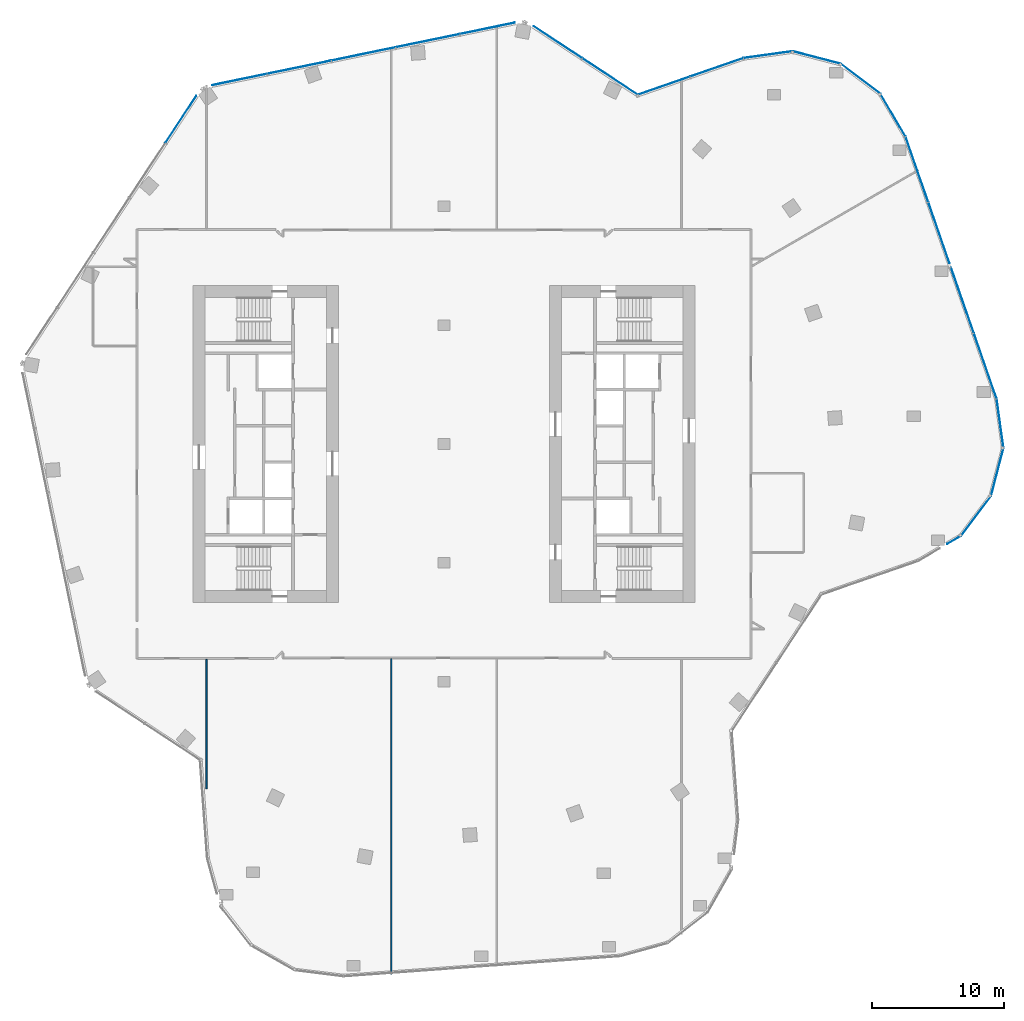
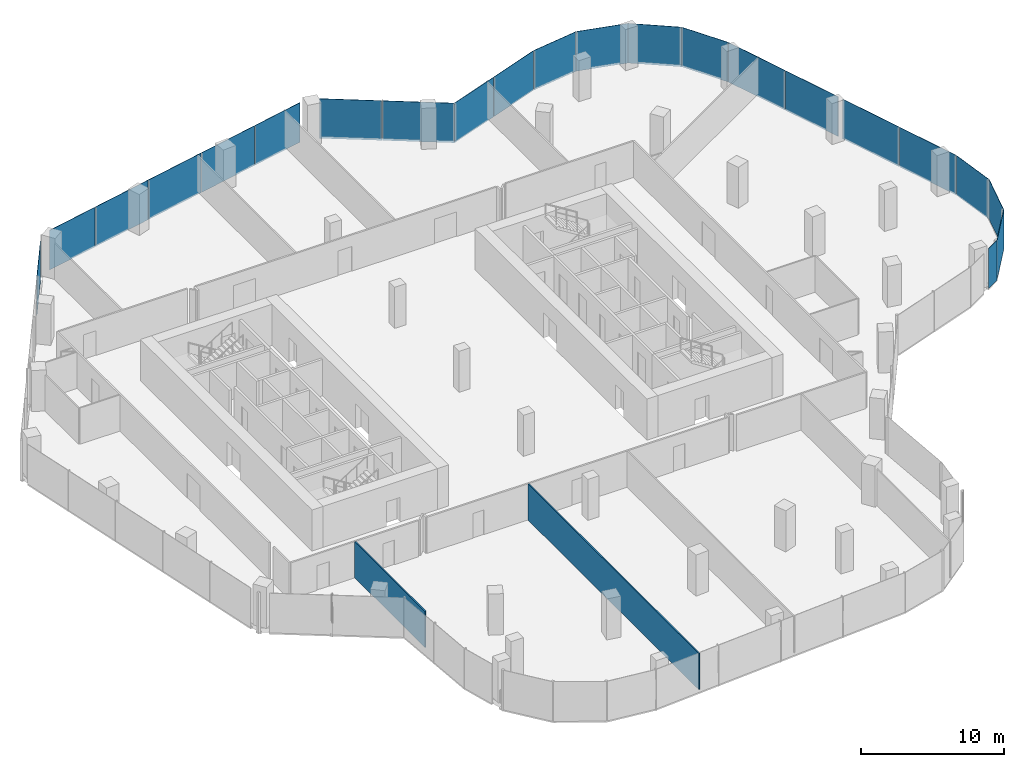
# One storey, part 17 of 24: 22 plates, 2 walls, 13 elements without a shape of their own.
"""IFC4 building model written with IfcOpenShell, lengths in metres."""

from ifc_helpers import new_model, si_unit, direction, frame, frame_2d, origin, origin_2d, place, context, subcontext, project, spatial, rectangle, extrude, material, layer, layer_set, type_object, element, aggregate, save


model = new_model("IFC4")

# Units and contexts
model_context = context("Model", 3, precision=1e-05, world=origin(), true_north=direction((0.0, 1.0)))
body_context = subcontext(model_context, "Body", "Model", "MODEL_VIEW")
ifc_project = project(units=[si_unit("LENGTHUNIT", "METRE"), si_unit("AREAUNIT", "SQUARE_METRE"), si_unit("VOLUMEUNIT", "CUBIC_METRE"), si_unit("PLANEANGLEUNIT", "RADIAN"), si_unit("MASSUNIT", "GRAM", prefix="KILO")], contexts=[model_context])

# Site, building, storey
site_placement = place(None, origin())
site = spatial("IfcSite", under=ifc_project, at=site_placement, CompositionType="ELEMENT")
building_placement = place(site_placement, origin())
building = spatial("IfcBuilding", under=site, at=building_placement, Name="Orlundy Tower", CompositionType="ELEMENT")
storey_placement = place(building_placement, frame((0.0, 0.0, 242.5)))
storey = spatial("IfcBuildingStorey", under=building, at=storey_placement, Name="L64", CompositionType="ELEMENT", Elevation=242.5)

# Curtain wall, plate
ifc_material_1 = material(Name="Aluminium bronze anodised", Category="aluminium")
curtain_wall_type = type_object("IfcCurtainWallType", Name="CW1 wall", PredefinedType="NOTDEFINED", material=ifc_material_1)
curtain_wall_1_placement = place(storey_placement, origin())
curtain_wall_1 = element("IfcCurtainWall", 1, at=curtain_wall_1_placement, inside=storey, type_object=curtain_wall_type, Name="CW1 run 015", PredefinedType="NOTDEFINED")
ifc_material_2 = material(Name="Tinted glass", Category="glass")
ifc_layer_1 = layer(ifc_material_2, 0.031982421875)
ifc_layer_set_1 = layer_set([ifc_layer_1], Name="CW1 glass panel 32")
plate_type = type_object("IfcPlateType", Name="CW1 glass panel 32", PredefinedType="CURTAIN_PANEL", material=ifc_layer_set_1)
plate_1_placement = place(storey_placement, frame((-19.9287109375, 24.592041015625, -0.280029296875), z_axis=(0.0, 0.0, 1.0), x_axis=(0.5495174705, 0.835482225793, 0.0)))
plate_1 = element("IfcPlate", 2, at=plate_1_placement, type_object=plate_type, Name="CW1 panel", PredefinedType="CURTAIN_PANEL", context=body_context, shape_type="SweptSolid", body=[
    extrude(rectangle(XDim=4.229248046875, YDim=0.031982421875, at=origin_2d()), origin(), (0.0, 0.0, 1.0), 3.3798828125),
])
aggregate(curtain_wall_1, [plate_1])

# Curtain wall, plates
curtain_wall_2_placement = place(storey_placement, origin())
curtain_wall_2 = element("IfcCurtainWall", 3, at=curtain_wall_2_placement, inside=storey, type_object=curtain_wall_type, Name="CW1 run 016", PredefinedType="NOTDEFINED")
plate_2_placement = place(storey_placement, frame((-15.496337890625, 27.60009765625, -0.280029296875), z_axis=(0.0, 0.0, 1.0), x_axis=(0.979337428215, 0.202233038095, 0.0)))
plate_2 = element("IfcPlate", 4, at=plate_2_placement, type_object=plate_type, Name="CW1 panel", PredefinedType="CURTAIN_PANEL", context=body_context, shape_type="SweptSolid", body=[
    extrude(rectangle(XDim=4.228271484375, YDim=0.031982421875, at=origin_2d()), origin(), (0.0, 0.0, 1.0), 3.3798828125),
])
plate_3_placement = place(storey_placement, frame((-10.967529296875, 28.535400390625, -0.280029296875), z_axis=(0.0, 0.0, 1.0), x_axis=(0.979337428215, 0.202233038095, 0.0)))
plate_3 = element("IfcPlate", 5, at=plate_3_placement, type_object=plate_type, Name="CW1 panel", PredefinedType="CURTAIN_PANEL", context=body_context, shape_type="SweptSolid", body=[
    extrude(rectangle(XDim=4.92041015625, YDim=0.031982421875, at=origin_2d()), origin(), (0.0, 0.0, 1.0), 3.3798828125),
])
plate_4_placement = place(storey_placement, frame((-6.099609375, 29.54052734375, -0.280029296875), z_axis=(0.0, 0.0, 1.0), x_axis=(0.979337428215, 0.202233038095, 0.0)))
plate_4 = element("IfcPlate", 6, at=plate_4_placement, type_object=plate_type, Name="CW1 panel", PredefinedType="CURTAIN_PANEL", context=body_context, shape_type="SweptSolid", body=[
    extrude(rectangle(XDim=4.92041015625, YDim=0.031982421875, at=origin_2d()), origin(), (0.0, 0.0, 1.0), 3.3798828125),
])
plate_5_placement = place(storey_placement, frame((-1.23193359375, 30.5458984375, -0.280029296875), z_axis=(0.0, 0.0, 1.0), x_axis=(0.979337428215, 0.202233038095, 0.0)))
plate_5 = element("IfcPlate", 7, at=plate_5_placement, type_object=plate_type, Name="CW1 panel", PredefinedType="CURTAIN_PANEL", context=body_context, shape_type="SweptSolid", body=[
    extrude(rectangle(XDim=4.92041015625, YDim=0.031982421875, at=origin_2d()), origin(), (0.0, 0.0, 1.0), 3.3798828125),
])
plate_6_placement = place(storey_placement, frame((3.297119140625, 31.48095703125, -0.280029296875), z_axis=(0.0, 0.0, 1.0), x_axis=(0.979337428215, 0.202233038095, 0.0)))
plate_6 = element("IfcPlate", 8, at=plate_6_placement, type_object=plate_type, Name="CW1 panel", PredefinedType="CURTAIN_PANEL", context=body_context, shape_type="SweptSolid", body=[
    extrude(rectangle(XDim=4.228759765625, YDim=0.031982421875, at=origin_2d()), origin(), (0.0, 0.0, 1.0), 3.3798828125),
])
aggregate(curtain_wall_2, [plate_2, plate_3, plate_4, plate_5, plate_6])

curtain_wall_3_placement = place(storey_placement, origin())
curtain_wall_3 = element("IfcCurtainWall", 9, at=curtain_wall_3_placement, inside=storey, type_object=curtain_wall_type, Name="CW1 run 017", PredefinedType="NOTDEFINED")
plate_7_placement = place(storey_placement, frame((8.620361328125, 30.43359375, -0.280029296875), z_axis=(0.0, 0.0, 1.0), x_axis=(0.835505597573, -0.549481934574, 0.0)))
plate_7 = element("IfcPlate", 10, at=plate_7_placement, type_object=plate_type, Name="CW1 panel", PredefinedType="CURTAIN_PANEL", context=body_context, shape_type="SweptSolid", body=[
    extrude(rectangle(XDim=4.37646484375, YDim=0.031982421875, at=origin_2d()), origin(), (0.0, 0.0, 1.0), 3.3798828125),
])
plate_8_placement = place(storey_placement, frame((12.58447265625, 27.82666015625, -0.280029296875), z_axis=(0.0, 0.0, 1.0), x_axis=(0.835505597573, -0.549481934574, 0.0)))
plate_8 = element("IfcPlate", 11, at=plate_8_placement, type_object=plate_type, Name="CW1 panel", PredefinedType="CURTAIN_PANEL", context=body_context, shape_type="SweptSolid", body=[
    extrude(rectangle(XDim=5.0126953125, YDim=0.031982421875, at=origin_2d()), origin(), (0.0, 0.0, 1.0), 3.3798828125),
])
aggregate(curtain_wall_3, [plate_7, plate_8])

curtain_wall_4_placement = place(storey_placement, origin())
curtain_wall_4 = element("IfcCurtainWall", 12, at=curtain_wall_4_placement, inside=storey, type_object=curtain_wall_type, Name="CW1 run 018", PredefinedType="NOTDEFINED")
plate_9_placement = place(storey_placement, frame((16.643310546875, 27.13232421875, -0.280029296875), z_axis=(0.0, 0.0, 1.0), x_axis=(0.94457424985, 0.328297862498, 0.0)))
plate_9 = element("IfcPlate", 13, at=plate_9_placement, type_object=plate_type, Name="CW1 panel", PredefinedType="CURTAIN_PANEL", context=body_context, shape_type="SweptSolid", body=[
    extrude(rectangle(XDim=4.16015625, YDim=0.031982421875, at=origin_2d()), origin(), (0.0, 0.0, 1.0), 3.3798828125),
])
plate_10_placement = place(storey_placement, frame((20.654052734375, 28.5263671875, -0.280029296875), z_axis=(0.0, 0.0, 1.0), x_axis=(0.94457424985, 0.328297862498, 0.0)))
plate_10 = element("IfcPlate", 14, at=plate_10_placement, type_object=plate_type, Name="CW1 panel", PredefinedType="CURTAIN_PANEL", context=body_context, shape_type="SweptSolid", body=[
    extrude(rectangle(XDim=4.23193359375, YDim=0.031982421875, at=origin_2d()), origin(), (0.0, 0.0, 1.0), 3.3798828125),
])
aggregate(curtain_wall_4, [plate_9, plate_10])

# Curtain wall, plate
curtain_wall_5_placement = place(storey_placement, origin())
curtain_wall_5 = element("IfcCurtainWall", 15, at=curtain_wall_5_placement, inside=storey, type_object=curtain_wall_type, Name="CW1 run 019", PredefinedType="NOTDEFINED")
plate_11_placement = place(storey_placement, frame((24.549072265625, 29.48974609375, -0.280029296875), z_axis=(0.0, 0.0, 1.0), x_axis=(0.99045548405, 0.137832993566, 0.0)))
plate_11 = element("IfcPlate", 16, at=plate_11_placement, type_object=plate_type, Name="CW1 panel", PredefinedType="CURTAIN_PANEL", context=body_context, shape_type="SweptSolid", body=[
    extrude(rectangle(XDim=3.73095703125, YDim=0.031982421875, at=origin_2d()), origin(), (0.0, 0.0, 1.0), 3.3798828125),
])
aggregate(curtain_wall_5, [plate_11])

curtain_wall_6_placement = place(storey_placement, origin())
curtain_wall_6 = element("IfcCurtainWall", 17, at=curtain_wall_6_placement, inside=storey, type_object=curtain_wall_type, Name="CW1 run 020", PredefinedType="NOTDEFINED")
plate_12_placement = place(storey_placement, frame((28.221923828125, 29.271728515625, -0.280029296875), z_axis=(0.0, 0.0, 1.0), x_axis=(0.967731773149, -0.251982569313, 0.0)))
plate_12 = element("IfcPlate", 18, at=plate_12_placement, type_object=plate_type, Name="CW1 panel", PredefinedType="CURTAIN_PANEL", context=body_context, shape_type="SweptSolid", body=[
    extrude(rectangle(XDim=3.77197265625, YDim=0.031982421875, at=origin_2d()), origin(), (0.0, 0.0, 1.0), 3.3798828125),
])
aggregate(curtain_wall_6, [plate_12])

curtain_wall_7_placement = place(storey_placement, origin())
curtain_wall_7 = element("IfcCurtainWall", 19, at=curtain_wall_7_placement, inside=storey, type_object=curtain_wall_type, Name="CW1 run 021", PredefinedType="NOTDEFINED")
plate_13_placement = place(storey_placement, frame((31.55126953125, 27.659423828125, -0.280029296875), z_axis=(0.0, 0.0, 1.0), x_axis=(0.797760617853, -0.602974291826, 0.0)))
plate_13 = element("IfcPlate", 20, at=plate_13_placement, type_object=plate_type, Name="CW1 panel", PredefinedType="CURTAIN_PANEL", context=body_context, shape_type="SweptSolid", body=[
    extrude(rectangle(XDim=3.771728515625, YDim=0.031982421875, at=origin_2d()), origin(), (0.0, 0.0, 1.0), 3.3798828125),
])
aggregate(curtain_wall_7, [plate_13])

curtain_wall_8_placement = place(storey_placement, origin())
curtain_wall_8 = element("IfcCurtainWall", 21, at=curtain_wall_8_placement, inside=storey, type_object=curtain_wall_type, Name="CW1 run 022", PredefinedType="NOTDEFINED")
plate_14_placement = place(storey_placement, frame((34.00048828125, 24.9140625, -0.280029296875), z_axis=(0.0, 0.0, 1.0), x_axis=(0.506418670322, -0.862287730604, 0.0)))
plate_14 = element("IfcPlate", 22, at=plate_14_placement, type_object=plate_type, Name="CW1 panel", PredefinedType="CURTAIN_PANEL", context=body_context, shape_type="SweptSolid", body=[
    extrude(rectangle(XDim=3.72998046875, YDim=0.031982421875, at=origin_2d()), origin(), (0.0, 0.0, 1.0), 3.3798828125),
])
aggregate(curtain_wall_8, [plate_14])

# Curtain wall, plates
curtain_wall_9_placement = place(storey_placement, origin())
curtain_wall_9 = element("IfcCurtainWall", 23, at=curtain_wall_9_placement, inside=storey, type_object=curtain_wall_type, Name="CW1 run 023", PredefinedType="NOTDEFINED")
plate_15_placement = place(storey_placement, frame((35.822021484375, 20.796875, -0.280029296875), z_axis=(0.0, 0.0, 1.0), x_axis=(0.328287898416, -0.944577712924, 0.0)))
plate_15 = element("IfcPlate", 24, at=plate_15_placement, type_object=plate_type, Name="CW1 panel", PredefinedType="CURTAIN_PANEL", context=body_context, shape_type="SweptSolid", body=[
    extrude(rectangle(XDim=5.216064453125, YDim=0.031982421875, at=origin_2d()), origin(), (0.0, 0.0, 1.0), 3.3798828125),
])
plate_16_placement = place(storey_placement, frame((37.49169921875, 15.9931640625, -0.280029296875), z_axis=(0.0, 0.0, 1.0), x_axis=(0.328287898416, -0.944577712924, 0.0)))
plate_16 = element("IfcPlate", 25, at=plate_16_placement, type_object=plate_type, Name="CW1 panel", PredefinedType="CURTAIN_PANEL", context=body_context, shape_type="SweptSolid", body=[
    extrude(rectangle(XDim=4.855224609375, YDim=0.031982421875, at=origin_2d()), origin(), (0.0, 0.0, 1.0), 3.3798828125),
])
plate_17_placement = place(storey_placement, frame((39.271728515625, 10.871337890625, -0.280029296875), z_axis=(0.0, 0.0, 1.0), x_axis=(0.328287898416, -0.944577712924, 0.0)))
plate_17 = element("IfcPlate", 26, at=plate_17_placement, type_object=plate_type, Name="CW1 panel", PredefinedType="CURTAIN_PANEL", context=body_context, shape_type="SweptSolid", body=[
    extrude(rectangle(XDim=5.199951171875, YDim=0.031982421875, at=origin_2d()), origin(), (0.0, 0.0, 1.0), 3.3798828125),
])
plate_18_placement = place(storey_placement, frame((40.997802734375, 5.90478515625, -0.280029296875), z_axis=(0.0, 0.0, 1.0), x_axis=(0.328287898416, -0.944577712924, 0.0)))
plate_18 = element("IfcPlate", 27, at=plate_18_placement, type_object=plate_type, Name="CW1 panel", PredefinedType="CURTAIN_PANEL", context=body_context, shape_type="SweptSolid", body=[
    extrude(rectangle(XDim=5.216064453125, YDim=0.031982421875, at=origin_2d()), origin(), (0.0, 0.0, 1.0), 3.3798828125),
])
aggregate(curtain_wall_9, [plate_15, plate_16, plate_17, plate_18])

# Curtain wall, plate
curtain_wall_10_placement = place(storey_placement, origin())
curtain_wall_10 = element("IfcCurtainWall", 28, at=curtain_wall_10_placement, inside=storey, type_object=curtain_wall_type, Name="CW1 run 024", PredefinedType="NOTDEFINED")
plate_19_placement = place(storey_placement, frame((42.122802734375, 1.544921875, -0.280029296875), z_axis=(0.0, 0.0, 1.0), x_axis=(0.137832993566, -0.99045548405, 0.0)))
plate_19 = element("IfcPlate", 29, at=plate_19_placement, type_object=plate_type, Name="CW1 panel", PredefinedType="CURTAIN_PANEL", context=body_context, shape_type="SweptSolid", body=[
    extrude(rectangle(XDim=3.73095703125, YDim=0.031982421875, at=origin_2d()), origin(), (0.0, 0.0, 1.0), 3.3798828125),
])
aggregate(curtain_wall_10, [plate_19])

curtain_wall_11_placement = place(storey_placement, origin())
curtain_wall_11 = element("IfcCurtainWall", 30, at=curtain_wall_11_placement, inside=storey, type_object=curtain_wall_type, Name="CW1 run 025", PredefinedType="NOTDEFINED")
plate_20_placement = place(storey_placement, frame((41.9052734375, -2.127685546875, -0.280029296875), z_axis=(0.0, 0.0, 1.0), x_axis=(-0.251729885218, -0.967797533004, 0.0)))
plate_20 = element("IfcPlate", 31, at=plate_20_placement, type_object=plate_type, Name="CW1 panel", PredefinedType="CURTAIN_PANEL", context=body_context, shape_type="SweptSolid", body=[
    extrude(rectangle(XDim=3.771728515625, YDim=0.031982421875, at=origin_2d()), origin(), (0.0, 0.0, 1.0), 3.3798828125),
])
aggregate(curtain_wall_11, [plate_20])

curtain_wall_12_placement = place(storey_placement, origin())
curtain_wall_12 = element("IfcCurtainWall", 32, at=curtain_wall_12_placement, inside=storey, type_object=curtain_wall_type, Name="CW1 run 026", PredefinedType="NOTDEFINED")
plate_21_placement = place(storey_placement, frame((40.292724609375, -5.457275390625, -0.280029296875), z_axis=(0.0, 0.0, 1.0), x_axis=(-0.603145948405, -0.797630845017, 0.0)))
plate_21 = element("IfcPlate", 33, at=plate_21_placement, type_object=plate_type, Name="CW1 panel", PredefinedType="CURTAIN_PANEL", context=body_context, shape_type="SweptSolid", body=[
    extrude(rectangle(XDim=3.7724609375, YDim=0.031982421875, at=origin_2d()), origin(), (0.0, 0.0, 1.0), 3.3798828125),
])
aggregate(curtain_wall_12, [plate_21])

curtain_wall_13_placement = place(storey_placement, origin())
curtain_wall_13 = element("IfcCurtainWall", 34, at=curtain_wall_13_placement, inside=storey, type_object=curtain_wall_type, Name="CW1 run 027", PredefinedType="NOTDEFINED")
plate_22_placement = place(storey_placement, frame((38.63916015625, -7.264892578125, -0.280029296875), z_axis=(0.0, 0.0, 1.0), x_axis=(-0.862287730604, -0.506418670322, 0.0)))
plate_22 = element("IfcPlate", 35, at=plate_22_placement, type_object=plate_type, Name="CW1 panel", PredefinedType="CURTAIN_PANEL", context=body_context, shape_type="SweptSolid", body=[
    extrude(rectangle(XDim=1.197021484375, YDim=0.031982421875, at=origin_2d()), origin(), (0.0, 0.0, 1.0), 3.3798828125),
])
aggregate(curtain_wall_13, [plate_22])

# Walls
ifc_material_3 = material(Name="Gypsum board partition")
ifc_layer_2 = layer(ifc_material_3, 0.10009765625)
ifc_layer_set_2 = layer_set([ifc_layer_2], Name="Floor partition 100")
wall_type = type_object("IfcWallType", Name="Floor partition 100", PredefinedType="PARTITIONING", material=ifc_layer_set_2)
wall_1_placement = place(storey_placement, frame((-4.0, -40.14697265625, 0.0), z_axis=(0.0, 0.0, 1.0), x_axis=(0.0, 1.0, 0.0)))
element("IfcWall", 36, at=wall_1_placement, inside=storey, type_object=wall_type, Name="wall-int-L64-031", PredefinedType="PARTITIONING", context=body_context, shape_type="SweptSolid", body=[
    extrude(rectangle(XDim=23.885009765625, YDim=0.10009765625, at=frame_2d((11.9423828125, 0.0))), origin(), (0.0, 0.0, 1.0), 3.080078125),
])
wall_2_placement = place(storey_placement, frame((-18.0, -26.116943359375, 0.0), z_axis=(0.0, 0.0, 1.0), x_axis=(0.0, 1.0, 0.0)))
element("IfcWall", 37, at=wall_2_placement, inside=storey, type_object=wall_type, Name="wall-int-L64-033", PredefinedType="PARTITIONING", context=body_context, shape_type="SweptSolid", body=[
    extrude(rectangle(XDim=9.804931640625, YDim=0.10009765625, at=frame_2d((4.90234375, 0.0))), origin(), (0.0, 0.0, 1.0), 3.080078125),
])

save(model, "model.ifc")
